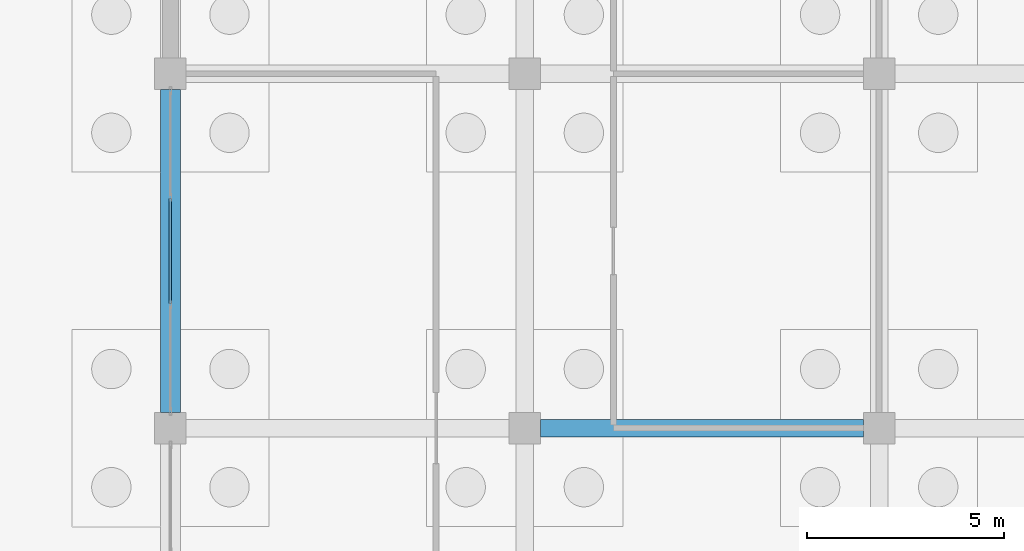
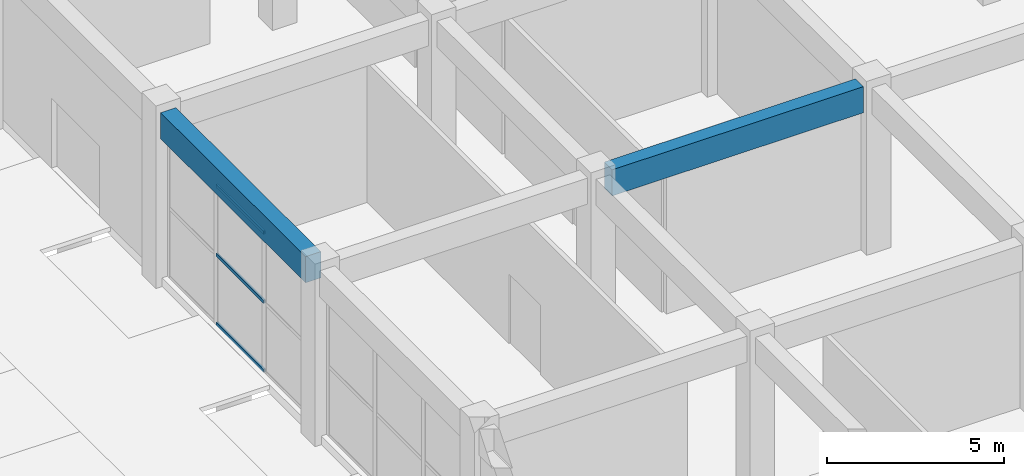
# One storey, part 61 of 198: 3 members, 2 beams, 1 element without a shape of its own.
"""IFC4 building model written with IfcOpenShell, lengths in metres."""

from ifc_helpers import new_model, si_unit, direction, frame, origin, origin_2d, place, context, subcontext, project, spatial, rectangle, hollow_rectangle, extrude, material, layer, layer_set, material_profile, profile_set, type_object, element, aggregate, save


model = new_model("IFC4")

# Units and contexts
model_context = context("Model", 3, precision=1e-05, world=origin(), true_north=direction((0.0, 1.0)))
body_context = subcontext(model_context, "Body", "Model", "MODEL_VIEW")
ifc_project = project(units=[si_unit("LENGTHUNIT", "METRE"), si_unit("AREAUNIT", "SQUARE_METRE"), si_unit("VOLUMEUNIT", "CUBIC_METRE"), si_unit("PLANEANGLEUNIT", "RADIAN"), si_unit("MASSUNIT", "GRAM", prefix="KILO")], contexts=[model_context])

# Site, building, storey
site_placement = place(None, origin())
site = spatial("IfcSite", under=ifc_project, at=site_placement, CompositionType="ELEMENT")
building_placement = place(site_placement, origin())
building = spatial("IfcBuilding", under=site, at=building_placement, Name="Opaline Strait Convention Centre", CompositionType="ELEMENT")
storey_placement = place(building_placement, origin())
storey = spatial("IfcBuildingStorey", under=building, at=storey_placement, Name="L00", CompositionType="ELEMENT", Elevation=0.0)

# Curtain wall, members
ifc_material_1 = material(Name="Aluminium framed double glazing", Category="aluminium")
ifc_layer = layer(ifc_material_1, 0.199951171875)
ifc_layer_set = layer_set([ifc_layer], Name="Aluminium framed double glazing")
curtain_wall_type = type_object("IfcCurtainWallType", Name="Curtain wall 3000 module unitised", PredefinedType="NOTDEFINED", material=ifc_layer_set)
curtain_wall_placement = place(storey_placement, origin())
curtain_wall = element("IfcCurtainWall", 1, at=curtain_wall_placement, inside=storey, type_object=curtain_wall_type, Name="Curtain wall W L00 32/S", PredefinedType="NOTDEFINED")
ifc_material_2 = material(Name="Aluminium alloy 6063", Category="aluminium")
ifc_material_profile_1 = material_profile(ifc_material_2, hollow_rectangle(XDim=0.06005859375, YDim=0.1201171875, WallThickness=0.0029296875, at=origin_2d()), Name="TRANSOM 60x120x3")
ifc_profile_set_1 = profile_set([ifc_material_profile_1], Name="Aluminium alloy 6063")
member_type = type_object("IfcMemberType", Name="Curtain wall transom 60 x 120", PredefinedType="USERDEFINED", material=ifc_profile_set_1)
member_1_placement = place(storey_placement, frame((279.0, 147.163330078125, 0.030029296875), z_axis=(0.0, 1.0, 0.0), x_axis=(-1.0, 0.0, 0.0)))
member_1 = element("IfcMember", 2, at=member_1_placement, type_object=member_type, Name="MCWR1 transom 2.1", ObjectType="TRANSOM", PredefinedType="USERDEFINED", context=body_context, shape_type="SweptSolid", body=[
    extrude(hollow_rectangle(XDim=0.06005859375, YDim=0.1201171875, WallThickness=0.0029296875, at=origin_2d()), origin(), (0.0, 0.0, 1.0), 2.67333984375),
])
member_2_placement = place(storey_placement, frame((279.0, 147.163330078125, 2.409912109375), z_axis=(0.0, 1.0, 0.0), x_axis=(-1.0, 0.0, 0.0)))
member_2 = element("IfcMember", 3, at=member_2_placement, type_object=member_type, Name="MCWR1 transom 2.2", ObjectType="TRANSOM", PredefinedType="USERDEFINED", context=body_context, shape_type="SweptSolid", body=[
    extrude(hollow_rectangle(XDim=0.06005859375, YDim=0.1201171875, WallThickness=0.0029296875, at=origin_2d()), origin(), (0.0, 0.0, 1.0), 2.67333984375),
])
member_3_placement = place(storey_placement, frame((279.0, 147.163330078125, 4.7900390625), z_axis=(0.0, 1.0, 0.0), x_axis=(-1.0, 0.0, 0.0)))
member_3 = element("IfcMember", 4, at=member_3_placement, type_object=member_type, Name="MCWR1 transom 2.3", ObjectType="TRANSOM", PredefinedType="USERDEFINED", context=body_context, shape_type="SweptSolid", body=[
    extrude(hollow_rectangle(XDim=0.06005859375, YDim=0.1201171875, WallThickness=0.0029296875, at=origin_2d()), origin(), (0.0, 0.0, 1.0), 2.67333984375),
])
aggregate(curtain_wall, [member_1, member_2, member_3])

# Beams
ifc_material_3 = material(Name="Concrete C35", Category="concrete")
ifc_material_profile_2 = material_profile(ifc_material_3, rectangle(XDim=0.449951171875, YDim=0.89990234375, at=origin_2d()), Name="RC 450x900")
ifc_profile_set_2 = profile_set([ifc_material_profile_2], Name="Concrete C35")
beam_type_1 = type_object("IfcBeamType", Name="RC beam 450x900 C35", PredefinedType="BEAM", material=ifc_profile_set_2)
beam_1_placement = place(storey_placement, frame((288.39990234375, 144.0, 5.27001953125), z_axis=(1.0, 0.0, 0.0), x_axis=(0.0, 1.0, 0.0)))
element("IfcBeam", 5, at=beam_1_placement, inside=storey, type_object=beam_type_1, Name="XB1 L00 33/S-34/S", PredefinedType="BEAM", context=body_context, shape_type="SweptSolid", body=[
    extrude(rectangle(XDim=0.449951171875, YDim=0.89990234375, at=origin_2d()), origin(), (0.0, 0.0, 1.0), 8.2001953125),
])
ifc_material_profile_3 = material_profile(ifc_material_3, rectangle(XDim=0.5, YDim=0.89990234375, at=origin_2d()), Name="RC 500x900")
ifc_profile_set_3 = profile_set([ifc_material_profile_3], Name="Concrete C35")
beam_type_2 = type_object("IfcBeamType", Name="RC edge beam 500x900 C35", PredefinedType="BEAM", material=ifc_profile_set_3)
beam_2_placement = place(storey_placement, frame((279.0, 144.39990234375, 5.27001953125), z_axis=(0.0, 1.0, 0.0), x_axis=(-1.0, 0.0, 0.0)))
element("IfcBeam", 6, at=beam_2_placement, inside=storey, type_object=beam_type_2, Name="MRB2 L00 32/S-32/T", PredefinedType="BEAM", context=body_context, shape_type="SweptSolid", body=[
    extrude(rectangle(XDim=0.5, YDim=0.89990234375, at=origin_2d()), origin(), (0.0, 0.0, 1.0), 8.2001953125),
])

save(model, "model.ifc")
